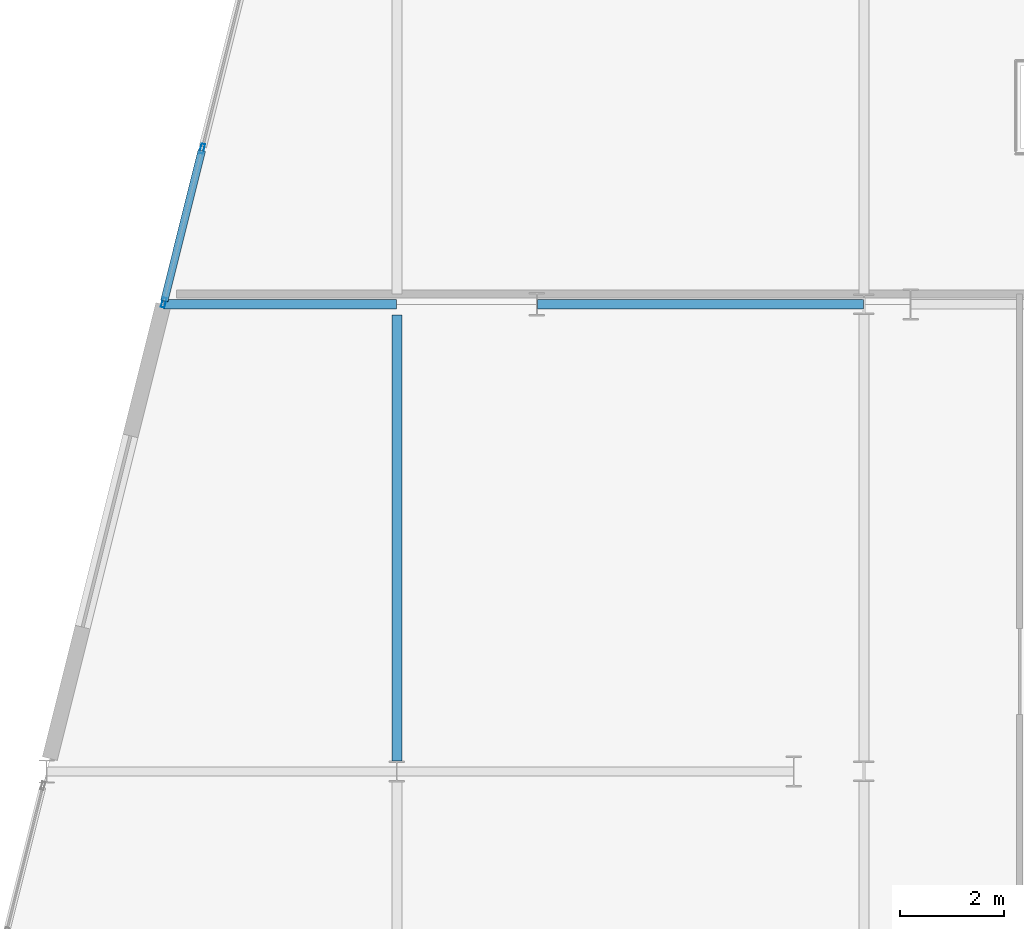
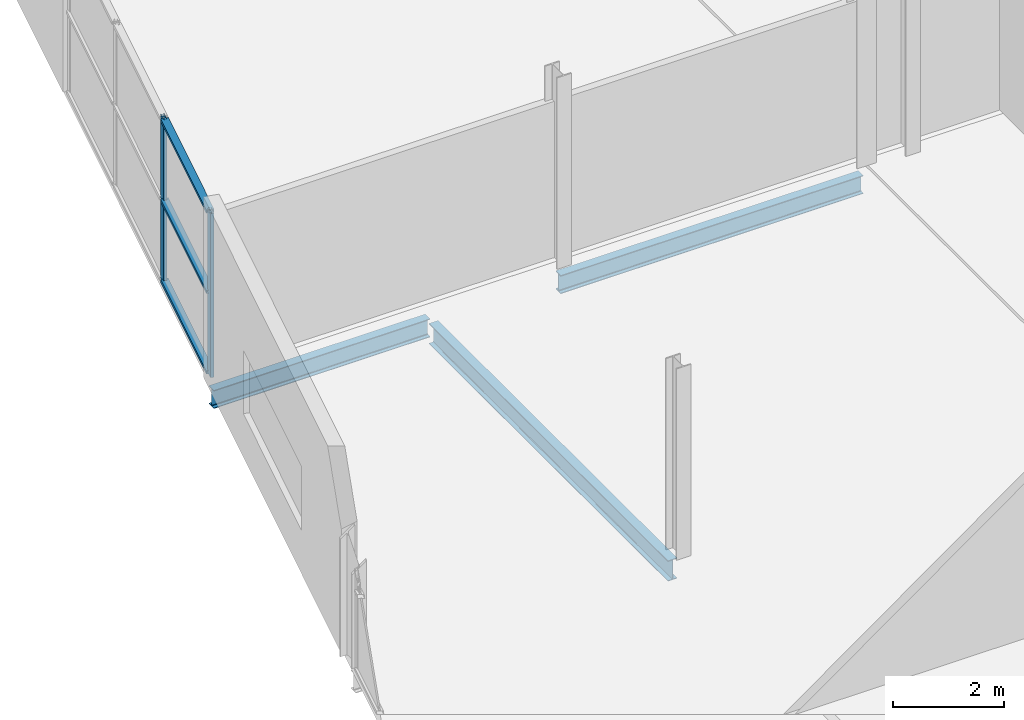
# One storey, part 52 of 88: 5 members, 3 beams, 1 element without a shape of its own.
"""IFC4 building model written with IfcOpenShell, lengths in metres."""

from ifc_helpers import new_model, si_unit, direction, frame, origin, origin_2d, place, context, subcontext, project, spatial, hollow_rectangle, i_section, extrude, material, layer, layer_set, material_profile, profile_set, type_object, element, aggregate, save


model = new_model("IFC4")

# Units and contexts
model_context = context("Model", 3, precision=1e-05, world=origin(), true_north=direction((0.0, 1.0)))
body_context = subcontext(model_context, "Body", "Model", "MODEL_VIEW")
ifc_project = project(units=[si_unit("LENGTHUNIT", "METRE"), si_unit("AREAUNIT", "SQUARE_METRE"), si_unit("VOLUMEUNIT", "CUBIC_METRE"), si_unit("PLANEANGLEUNIT", "RADIAN"), si_unit("MASSUNIT", "GRAM", prefix="KILO")], contexts=[model_context])

# Site, building, storey
site_placement = place(None, origin())
site = spatial("IfcSite", under=ifc_project, at=site_placement, CompositionType="ELEMENT")
building_placement = place(site_placement, origin())
building = spatial("IfcBuilding", under=site, at=building_placement, Name="Deido Ridge Mobility Hub", CompositionType="ELEMENT")
storey_placement = place(building_placement, frame((0.0, 0.0, 16.800048828125)))
storey = spatial("IfcBuildingStorey", under=building, at=storey_placement, Name="L04", CompositionType="ELEMENT", Elevation=16.800048828125)

# Beams
ifc_material_1 = material(Name="Steel S355J2 EN 10025-2", Category="steel")
ifc_material_profile_1 = material_profile(ifc_material_1, i_section(OverallWidth=0.179931640625, OverallDepth=0.39990234375, WebThickness=0.008544921875, FlangeThickness=0.013427734375, FilletRadius=0.02099609375, at=origin_2d()), Name="IPE 400")
ifc_profile_set_1 = profile_set([ifc_material_profile_1], Name="Steel S355J2 EN 10025-2")
beam_type_1 = type_object("IfcBeamType", Name="BM-IPE400", PredefinedType="BEAM", material=ifc_profile_set_1)
beam_1_placement = place(storey_placement, frame((130.506103515625, 36.0, -0.47509765625), z_axis=(1.0, 0.0, 0.0), x_axis=(0.0, 1.0, 0.0)))
element("IfcBeam", 1, at=beam_1_placement, inside=storey, type_object=beam_type_1, Name="Floor beam B5", PredefinedType="BEAM", context=body_context, shape_type="SweptSolid", body=[
    extrude(i_section(OverallWidth=0.179931640625, OverallDepth=0.39990234375, WebThickness=0.008544921875, FlangeThickness=0.013427734375, FilletRadius=0.02099609375, at=origin_2d()), origin(), (0.0, 0.0, 1.0), 4.487060546875),
])
beam_2_placement = place(storey_placement, frame((137.70703125, 36.0, -0.47509765625), z_axis=(1.0, 0.0, 0.0), x_axis=(0.0, 1.0, 0.0)))
element("IfcBeam", 2, at=beam_2_placement, inside=storey, type_object=beam_type_1, Name="Floor beam B5", PredefinedType="BEAM", context=body_context, shape_type="SweptSolid", body=[
    extrude(i_section(OverallWidth=0.179931640625, OverallDepth=0.39990234375, WebThickness=0.008544921875, FlangeThickness=0.013427734375, FilletRadius=0.02099609375, at=origin_2d()), origin(), (0.0, 0.0, 1.0), 6.2841796875),
])
ifc_material_profile_2 = material_profile(ifc_material_1, i_section(OverallWidth=0.18994140625, OverallDepth=0.449951171875, WebThickness=0.009521484375, FlangeThickness=0.0146484375, FilletRadius=0.02099609375, at=origin_2d()), Name="IPE 450")
ifc_profile_set_2 = profile_set([ifc_material_profile_2], Name="Steel S355J2 EN 10025-2")
beam_type_2 = type_object("IfcBeamType", Name="BM-IPE450", PredefinedType="BEAM", material=ifc_profile_set_2)
beam_3_placement = place(storey_placement, frame((135.0, 27.199951171875, -0.5), z_axis=(0.0, 1.0, 0.0), x_axis=(-1.0, 0.0, 0.0)))
element("IfcBeam", 3, at=beam_3_placement, inside=storey, type_object=beam_type_2, Name="Floor beam B4", PredefinedType="BEAM", context=body_context, shape_type="SweptSolid", body=[
    extrude(i_section(OverallWidth=0.18994140625, OverallDepth=0.449951171875, WebThickness=0.009521484375, FlangeThickness=0.0146484375, FilletRadius=0.02099609375, at=origin_2d()), origin(), (0.0, 0.0, 1.0), 8.60009765625),
])

# Curtain wall, members
ifc_material_2 = material(Name="Anodised aluminium EN AW-6063 T6", Category="aluminium")
ifc_layer = layer(ifc_material_2, 0.239990234375, Name="Anodised aluminium EN AW-6063 T6")
ifc_layer_set = layer_set([ifc_layer], Name="Anodised aluminium EN AW-6063 T6")
curtain_wall_type = type_object("IfcCurtainWallType", Name="CW-UF-6", PredefinedType="USERDEFINED", material=ifc_layer_set)
curtain_wall_placement = place(storey_placement, origin())
curtain_wall = element("IfcCurtainWall", 4, at=curtain_wall_placement, inside=storey, type_object=curtain_wall_type, Name="Unitised curtain wall CW6", ObjectType="UNITISED FACADE", PredefinedType="USERDEFINED")
ifc_material_profile_3 = material_profile(ifc_material_2, hollow_rectangle(XDim=0.070068359375, YDim=0.18994140625, WallThickness=0.00390625, at=origin_2d()), Name="RHS 70x190x4")
ifc_profile_set_3 = profile_set([ifc_material_profile_3], Name="Anodised aluminium EN AW-6063 T6")
member_type_1 = type_object("IfcMemberType", Name="MEM-MUL-70X190", PredefinedType="MULLION", material=ifc_profile_set_3)
member_1_placement = place(storey_placement, frame((130.508544921875, 36.033935546875, 0.0), z_axis=(0.0, 0.0, 1.0), x_axis=(-0.970142500145, 0.242535625038, 0.0)))
member_1 = element("IfcMember", 5, at=member_1_placement, type_object=member_type_1, Name="CW6 mullion 1", PredefinedType="MULLION", context=body_context, shape_type="SweptSolid", body=[
    extrude(hollow_rectangle(XDim=0.070068359375, YDim=0.18994140625, WallThickness=0.00390625, at=origin_2d()), origin(), (0.0, 0.0, 1.0), 3.599853515625),
])
member_2_placement = place(storey_placement, frame((131.25, 39.0, 0.0), z_axis=(0.0, 0.0, 1.0), x_axis=(-0.970142500145, 0.242535625038, 0.0)))
member_2 = element("IfcMember", 6, at=member_2_placement, type_object=member_type_1, Name="CW6 mullion 2", PredefinedType="MULLION", context=body_context, shape_type="SweptSolid", body=[
    extrude(hollow_rectangle(XDim=0.070068359375, YDim=0.18994140625, WallThickness=0.00390625, at=origin_2d()), origin(), (0.0, 0.0, 1.0), 3.599853515625),
])
ifc_material_profile_4 = material_profile(ifc_material_2, hollow_rectangle(XDim=0.14501953125, YDim=0.070068359375, WallThickness=0.00390625, at=origin_2d()), Name="RHS 145x70x4")
ifc_profile_set_4 = profile_set([ifc_material_profile_4], Name="Anodised aluminium EN AW-6063 T6")
member_type_2 = type_object("IfcMemberType", Name="MEM-TRN-145X70", PredefinedType="USERDEFINED", material=ifc_profile_set_4)
member_3_placement = place(storey_placement, frame((130.51708984375, 36.06787109375, 0.034912109375), z_axis=(0.242477936405, 0.970156920481, 0.0), x_axis=(-0.970156920481, 0.242477936405, 0.0)))
member_3 = element("IfcMember", 7, at=member_3_placement, type_object=member_type_2, Name="CW6 transom 1.1", ObjectType="TRANSOM", PredefinedType="USERDEFINED", context=body_context, shape_type="SweptSolid", body=[
    extrude(hollow_rectangle(XDim=0.14501953125, YDim=0.070068359375, WallThickness=0.00390625, at=origin_2d()), origin(), (0.0, 0.0, 1.0), 2.9873046875),
])
member_4_placement = place(storey_placement, frame((130.51708984375, 36.06787109375, 1.800048828125), z_axis=(0.242477936405, 0.970156920481, 0.0), x_axis=(-0.970156920481, 0.242477936405, 0.0)))
member_4 = element("IfcMember", 8, at=member_4_placement, type_object=member_type_2, Name="CW6 transom 1.2", ObjectType="TRANSOM", PredefinedType="USERDEFINED", context=body_context, shape_type="SweptSolid", body=[
    extrude(hollow_rectangle(XDim=0.14501953125, YDim=0.070068359375, WallThickness=0.00390625, at=origin_2d()), origin(), (0.0, 0.0, 1.0), 2.9873046875),
])
member_5_placement = place(storey_placement, frame((130.51708984375, 36.06787109375, 3.56494140625), z_axis=(0.242477936405, 0.970156920481, 0.0), x_axis=(-0.970156920481, 0.242477936405, 0.0)))
member_5 = element("IfcMember", 9, at=member_5_placement, type_object=member_type_2, Name="CW6 transom 1.3", ObjectType="TRANSOM", PredefinedType="USERDEFINED", context=body_context, shape_type="SweptSolid", body=[
    extrude(hollow_rectangle(XDim=0.14501953125, YDim=0.070068359375, WallThickness=0.00390625, at=origin_2d()), origin(), (0.0, 0.0, 1.0), 2.9873046875),
])
aggregate(curtain_wall, [member_1, member_2, member_3, member_4, member_5])

save(model, "model.ifc")
